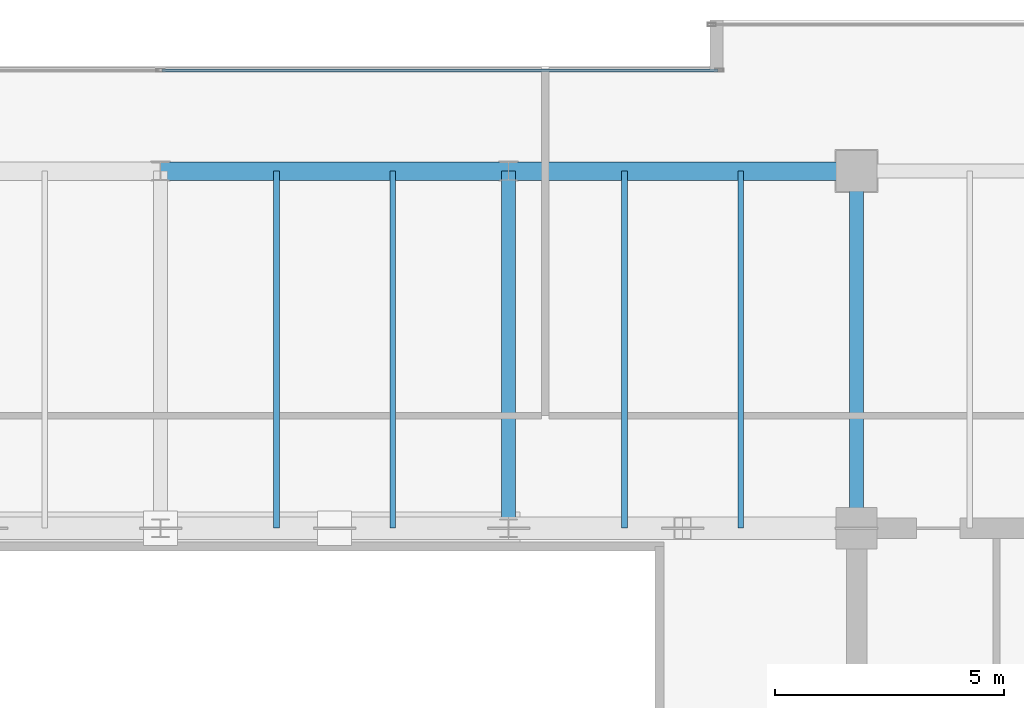
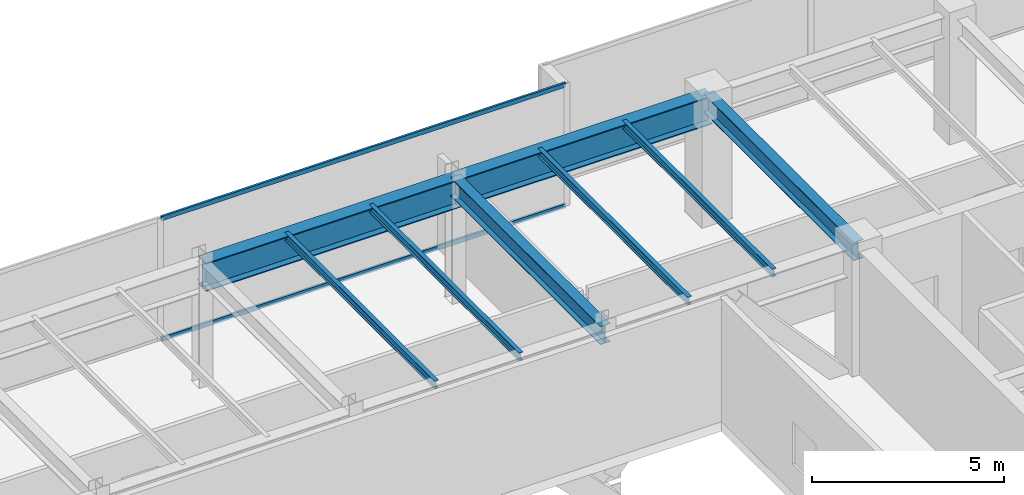
# One storey, part 22 of 32: 8 beams, 2 members, 1 element without a shape of its own.
"""IFC4 building model written with IfcOpenShell, lengths in metres."""

import ifcopenshell
import ifcopenshell.guid

model = None  # the IFC model being written
_history = None  # IfcOwnerHistory: only IFC2X3 demands one
_inside = {}  # id of a spatial element -> (the spatial element, [elements in it])
_under = {}  # id of a project, library or spatial element -> (it, [spatial elements below it])
_declared = {}  # id of a project -> (the project, [libraries it declares])
_typed = {}  # id of a type object -> (the type object, [elements of that type])
_made_of = {}  # id of a material, layer set ... -> (it, [elements and type objects made of it])


def new_model(schema):
    """Start an empty IFC model of exactly this schema.

    Asked for "IFC4X3", IfcOpenShell would pick the latest addendum, in which some entities
    have other attributes; the version numbers below select the first issue.
    IFC2X3 requires an IfcOwnerHistory on every rooted entity: one is made here for all.
    """
    global model, _history
    if schema == "IFC4X3":
        model = ifcopenshell.file(schema_version=(4, 3, 0, 0))
    else:
        model = ifcopenshell.file(schema=schema)
    _inside.clear()
    _under.clear()
    _declared.clear()
    _typed.clear()
    _made_of.clear()
    _history = None
    if model.schema == "IFC2X3":
        org = make("IfcOrganization", Name="unknown")
        user = make(
            "IfcPersonAndOrganization",
            ThePerson=make("IfcPerson", FamilyName="unknown"),
            TheOrganization=org,
        )
        app = make(
            "IfcApplication",
            ApplicationDeveloper=org,
            Version="unknown",
            ApplicationFullName="unknown",
            ApplicationIdentifier="unknown",
        )
        _history = make(
            "IfcOwnerHistory",
            OwningUser=user,
            OwningApplication=app,
            ChangeAction="ADDED",
            CreationDate=0,
        )
    return model


def make(cls, **values):
    """One entity of the class cls with the attributes given. An attribute that is None is left unset."""
    return model.create_entity(
        cls, **{name: value for name, value in values.items() if value is not None}
    )


def rooted(cls, **values):
    """An entity with a GlobalId (a new one), such as an element, a storey or a relation."""
    return make(cls, GlobalId=ifcopenshell.guid.new(), OwnerHistory=_history, **values)


def si_unit(unit_type, name, prefix=None):
    """IfcSIUnit, for example si_unit("LENGTHUNIT", "METRE", prefix="MILLI")."""
    return make("IfcSIUnit", UnitType=unit_type, Prefix=prefix, Name=name)


def assignment(units):
    """IfcUnitAssignment: the units of a project."""
    return None if units is None else make("IfcUnitAssignment", Units=units)


def point(xyz):
    """IfcCartesianPoint."""
    return None if xyz is None else make("IfcCartesianPoint", Coordinates=xyz)


def direction(xyz):
    """IfcDirection."""
    return None if xyz is None else make("IfcDirection", DirectionRatios=xyz)


def frame(location, z_axis=None, x_axis=None):
    """IfcAxis2Placement3D, a coordinate frame: its origin and axes. An axis left out is left unset."""
    return make(
        "IfcAxis2Placement3D",
        Location=point(location),
        Axis=direction(z_axis),
        RefDirection=direction(x_axis),
    )


def frame_2d(location, x_axis=None):
    """IfcAxis2Placement2D, a coordinate frame in the plane: its origin and x axis."""
    return make(
        "IfcAxis2Placement2D", Location=point(location), RefDirection=direction(x_axis)
    )


def origin():
    """The frame at (0, 0, 0) with its axes left unset."""
    return frame((0.0, 0.0, 0.0))


def origin_2d():
    """The frame at (0, 0) in the plane with its x axis left unset."""
    return frame_2d((0.0, 0.0))


def place(relative_to, where):
    """IfcLocalPlacement: puts the frame where relative to a parent placement (None: the world)."""
    return make(
        "IfcLocalPlacement", PlacementRelTo=relative_to, RelativePlacement=where
    )


def context(
    kind, dimensions, precision=None, world=None, true_north=None, identifier=None
):
    """IfcGeometricRepresentationContext, for example the 3D "Model" context."""
    return make(
        "IfcGeometricRepresentationContext",
        ContextIdentifier=identifier,
        ContextType=kind,
        CoordinateSpaceDimension=dimensions,
        Precision=precision,
        WorldCoordinateSystem=world,
        TrueNorth=true_north,
    )


def subcontext(parent, identifier, kind, view, scale=None):
    """IfcGeometricRepresentationSubContext, for example "Body" below "Model"."""
    return make(
        "IfcGeometricRepresentationSubContext",
        ContextIdentifier=identifier,
        ContextType=kind,
        ParentContext=parent,
        TargetScale=scale,
        TargetView=view,
    )


def project(units=None, contexts=None):
    """IfcProject with its units and contexts."""
    return rooted(
        "IfcProject",
        Name="project",
        RepresentationContexts=contexts,
        UnitsInContext=assignment(units),
    )


def spatial(cls, under=None, at=None, **own):
    """A site, building, storey or space (cls), placed at a placement, below another one or the project."""
    s = rooted(cls, ObjectPlacement=at, **own)
    if under is not None:
        _under.setdefault(under.id(), (under, []))[1].append(s)
    return s


def profile(cls, at=None, kind="AREA", **sizes):
    """A parametric profile (cls). Its sizes go by their IFC names, for example OverallWidth=200.0."""
    return make(cls, ProfileType=kind, Position=at, **sizes)


def hollow_rectangle(**sizes):
    """IfcRectangleHollowProfileDef."""
    return profile("IfcRectangleHollowProfileDef", **sizes)


def i_section(**sizes):
    """IfcIShapeProfileDef."""
    return profile("IfcIShapeProfileDef", **sizes)


def extrude(swept, where, along, depth):
    """IfcExtrudedAreaSolid: the profile swept, set in the frame where, extruded along a direction by depth."""
    return make(
        "IfcExtrudedAreaSolid",
        SweptArea=swept,
        Position=where,
        ExtrudedDirection=direction(along),
        Depth=depth,
    )


def shape(context_of_items, identifier, shape_type, items):
    """IfcShapeRepresentation: the items that make up one representation, for example the "Body"."""
    return make(
        "IfcShapeRepresentation",
        ContextOfItems=context_of_items,
        RepresentationIdentifier=identifier,
        RepresentationType=shape_type,
        Items=items,
    )


def source(mapping_origin, context_of_items, identifier, shape_type, items):
    """IfcRepresentationMap: a shape defined once, which mapped items show again and again."""
    return make(
        "IfcRepresentationMap",
        MappingOrigin=mapping_origin,
        MappedRepresentation=shape(context_of_items, identifier, shape_type, items),
    )


def transform(
    local_origin,
    x_axis=None,
    y_axis=None,
    z_axis=None,
    scale=None,
    scale2=None,
    scale3=None,
    uniform=True,
):
    """IfcCartesianTransformationOperator3D, or its non-uniform kind. x_axis, y_axis, z_axis: its Axis1, 2, 3."""
    if uniform:
        return make(
            "IfcCartesianTransformationOperator3D",
            Axis1=direction(x_axis),
            Axis2=direction(y_axis),
            LocalOrigin=point(local_origin),
            Scale=scale,
            Axis3=direction(z_axis),
        )
    return make(
        "IfcCartesianTransformationOperator3DnonUniform",
        Axis1=direction(x_axis),
        Axis2=direction(y_axis),
        LocalOrigin=point(local_origin),
        Scale=scale,
        Axis3=direction(z_axis),
        Scale2=scale2,
        Scale3=scale3,
    )


def mapped(mapping_source, mapping_target):
    """IfcMappedItem: shows the shape of a source again, moved by a transform."""
    return make(
        "IfcMappedItem", MappingSource=mapping_source, MappingTarget=mapping_target
    )


def material(Name=None, Category=None):
    """IfcMaterial."""
    return make("IfcMaterial", Name=Name, Category=Category)


def layer(
    of_material, thickness, ventilated=None, Name=None, Category=None, Priority=None
):
    """IfcMaterialLayer: one layer of a wall or slab, of a material (None: an air gap)."""
    return make(
        "IfcMaterialLayer",
        Material=of_material,
        LayerThickness=thickness,
        IsVentilated=ventilated,
        Name=Name,
        Category=Category,
        Priority=Priority,
    )


def layer_set(layers, Name=None):
    """IfcMaterialLayerSet."""
    return make("IfcMaterialLayerSet", MaterialLayers=layers, LayerSetName=Name)


def material_profile(
    of_material, cross_section, Name=None, Category=None, Priority=None
):
    """IfcMaterialProfile: a cross section and its material."""
    return make(
        "IfcMaterialProfile",
        Name=Name,
        Material=of_material,
        Profile=cross_section,
        Priority=Priority,
        Category=Category,
    )


def profile_set(profiles, Name=None, composite=None):
    """IfcMaterialProfileSet."""
    return make(
        "IfcMaterialProfileSet",
        Name=Name,
        MaterialProfiles=profiles,
        CompositeProfile=composite,
    )


def made_of(thing, what):
    """Note that an element or type object is made of a material, layer set ...; save() writes the relation."""
    if what is not None:
        _made_of.setdefault(what.id(), (what, []))[1].append(thing)
    return thing


def type_object(cls, material=None, **own):
    """A type object (cls), such as IfcWallType, which elements share."""
    return made_of(rooted(cls, **own), material)


def type_shapes(of_type, sources):
    """Give a type object the sources (RepresentationMaps) that its elements show as mapped items."""
    of_type.RepresentationMaps = sources


def element(
    cls,
    number,
    at=None,
    inside=None,
    cuts=None,
    type_object=None,
    material=None,
    context=None,
    identifier="Body",
    shape_type=None,
    held_by="IfcProductDefinitionShape",
    body=None,
    shapes=None,
    **own,
):
    """One element of the class cls, such as IfcWall. Its Tag is "e" and its number.

    at: its placement. inside: the storey or other place that contains it. cuts: it is an
    opening in that element (IfcRelVoidsElement). A single representation is given by context,
    identifier, shape_type and body (its items); several are given by shapes. held_by: the class
    of the entity that holds the representations. save() writes the other relations.
    """
    e = rooted(cls, Tag="e%d" % number, ObjectPlacement=at, **own)
    if body is not None:
        shapes = [shape(context, identifier, shape_type, body)]
    if shapes is not None:
        e.Representation = make(held_by, Representations=shapes)
    if inside is not None:
        _inside.setdefault(inside.id(), (inside, []))[1].append(e)
    if cuts is not None:
        rooted(
            "IfcRelVoidsElement", RelatingBuildingElement=cuts, RelatedOpeningElement=e
        )
    if type_object is not None:
        _typed.setdefault(type_object.id(), (type_object, []))[1].append(e)
    return made_of(e, material)


def aggregate(whole, parts):
    """IfcRelAggregates: a whole, such as a stair, and the parts it consists of."""
    return rooted("IfcRelAggregates", RelatingObject=whole, RelatedObjects=parts)


def save(model, path):
    """Write the relations noted so far, then the file.

    IfcRelAggregates (storeys below a building ...), IfcRelContainedInSpatialStructure (elements
    in a storey), IfcRelDefinesByType, IfcRelAssociatesMaterial and IfcRelDeclares: one each for
    every whole, place, type object, material and project.
    """
    for whole, parts in _under.values():
        aggregate(whole, parts)
    for where, things in _inside.values():
        rooted(
            "IfcRelContainedInSpatialStructure",
            RelatedElements=things,
            RelatingStructure=where,
        )
    for kind, things in _typed.values():
        rooted("IfcRelDefinesByType", RelatedObjects=things, RelatingType=kind)
    for what, things in _made_of.values():
        rooted("IfcRelAssociatesMaterial", RelatedObjects=things, RelatingMaterial=what)
    for by, libraries in _declared.values():
        rooted("IfcRelDeclares", RelatingContext=by, RelatedDefinitions=libraries)
    model.write(path)


model = new_model("IFC4")

# Units and contexts
model_context = context("Model", 3, precision=1e-05, world=origin(), true_north=direction((0.0, 1.0)))
body_context = subcontext(model_context, "Body", "Model", "MODEL_VIEW")
ifc_project = project(units=[si_unit("LENGTHUNIT", "METRE"), si_unit("AREAUNIT", "SQUARE_METRE"), si_unit("VOLUMEUNIT", "CUBIC_METRE"), si_unit("PLANEANGLEUNIT", "RADIAN"), si_unit("MASSUNIT", "GRAM", prefix="KILO")], contexts=[model_context])

# Site, building, storey
site_placement = place(None, origin())
site = spatial("IfcSite", under=ifc_project, at=site_placement, CompositionType="ELEMENT")
building_placement = place(site_placement, origin())
building = spatial("IfcBuilding", under=site, at=building_placement, Name="Haelvirn Gate Laboratories", CompositionType="ELEMENT")
storey_placement = place(building_placement, frame((0.0, 0.0, 314.39990234375)))
storey = spatial("IfcBuildingStorey", under=building, at=storey_placement, Name="L75", CompositionType="ELEMENT", Elevation=314.39990234375)

# Beams
ifc_material_1 = material(Name="Steel SM420", Category="steel")
ifc_material_profile_1 = material_profile(ifc_material_1, i_section(OverallWidth=0.39990234375, OverallDepth=0.89990234375, WebThickness=0.01904296875, FlangeThickness=0.031982421875, at=origin_2d()), Name="H-900x400x19x32")
ifc_profile_set_1 = profile_set([ifc_material_profile_1], Name="Steel SM420")
beam_type_1 = type_object("IfcBeamType", Name="BM-TG-900", PredefinedType="BEAM", material=ifc_profile_set_1)
shared_shape_1 = source(origin(), body_context, "Body", "SweptSolid", [
    extrude(i_section(OverallWidth=0.39990234375, OverallDepth=0.89990234375, WebThickness=0.01904296875, FlangeThickness=0.031982421875, at=origin_2d()), origin(), (0.0, 0.0, 1.0), 7.60009765625),
])
type_shapes(beam_type_1, [shared_shape_1])
for number, where, z_axis, x_axis, name in (
    (1, (37.39990234375, 41.60009765625, 3.4501953125), (1.0, 0.0, 0.0), (0.0, 1.0, 0.0), "L75 Primary Girder Y41.6 (37.4-45.0)"),
    (2, (45.0, 41.60009765625, 3.4501953125), (1.0, 0.0, 0.0), (0.0, 1.0, 0.0), "L75 Primary Girder Y41.6 (45.0-52.6)"),
):
    element("IfcBeam", number, at=place(storey_placement, frame(where, z_axis=z_axis, x_axis=x_axis)), inside=storey, type_object=beam_type_1, Name=name, PredefinedType="BEAM", context=body_context, shape_type="MappedRepresentation", body=[
        mapped(shared_shape_1, transform((0.0, 0.0, 0.0), scale=1.0)),
    ])
ifc_material_2 = material(Name="Steel SM355", Category="steel")
ifc_material_profile_2 = material_profile(ifc_material_2, i_section(OverallWidth=0.300048828125, OverallDepth=0.587890625, WebThickness=0.011962890625, FlangeThickness=0.02001953125, at=origin_2d()), Name="H-588x300x12x20")
ifc_profile_set_2 = profile_set([ifc_material_profile_2], Name="Steel SM355")
beam_type_2 = type_object("IfcBeamType", Name="BM-G-588", PredefinedType="BEAM", material=ifc_profile_set_2)
shared_shape_2 = source(origin(), body_context, "Body", "SweptSolid", [
    extrude(i_section(OverallWidth=0.300048828125, OverallDepth=0.587890625, WebThickness=0.011962890625, FlangeThickness=0.02001953125, at=origin_2d()), origin(), (0.0, 0.0, 1.0), 7.800048828125),
])
type_shapes(beam_type_2, [shared_shape_2])
for number, where, z_axis, x_axis, name in (
    (3, (45.0, 33.800048828125, 3.606201171875), (0.0, 1.0, 0.0), (-1.0, 0.0, 0.0), "L75 Frame Girder X45.0 (33.8-41.6)"),
    (4, (52.60009765625, 33.800048828125, 3.606201171875), (0.0, 1.0, 0.0), (-1.0, 0.0, 0.0), "L75 Frame Girder X52.6 (33.8-41.6)"),
):
    element("IfcBeam", number, at=place(storey_placement, frame(where, z_axis=z_axis, x_axis=x_axis)), inside=storey, type_object=beam_type_2, Name=name, PredefinedType="BEAM", context=body_context, shape_type="MappedRepresentation", body=[
        mapped(shared_shape_2, transform((0.0, 0.0, 0.0), scale=1.0)),
    ])
ifc_material_profile_3 = material_profile(ifc_material_2, i_section(OverallWidth=0.125, OverallDepth=0.25, WebThickness=0.006103515625, FlangeThickness=0.009033203125, at=origin_2d()), Name="H-250x125x6x9")
ifc_profile_set_3 = profile_set([ifc_material_profile_3], Name="Steel SM355")
beam_type_3 = type_object("IfcBeamType", Name="BM-J-250", PredefinedType="JOIST", material=ifc_profile_set_3)
shared_shape_3 = source(origin(), body_context, "Body", "SweptSolid", [
    extrude(i_section(OverallWidth=0.125, OverallDepth=0.25, WebThickness=0.006103515625, FlangeThickness=0.009033203125, at=origin_2d()), origin(), (0.0, 0.0, 1.0), 7.800048828125),
])
type_shapes(beam_type_3, [shared_shape_3])
for number, where, z_axis, x_axis, name in (
    (5, (39.929931640625, 33.800048828125, 3.775146484375), (0.0, 1.0, 0.0), (-1.0, 0.0, 0.0), "L75 Composite Lab Joist North X39.93"),
    (6, (42.469970703125, 33.800048828125, 3.775146484375), (0.0, 1.0, 0.0), (-1.0, 0.0, 0.0), "L75 Composite Lab Joist North X42.47"),
    (7, (47.530029296875, 33.800048828125, 3.775146484375), (0.0, 1.0, 0.0), (-1.0, 0.0, 0.0), "L75 Composite Lab Joist North X47.53"),
    (8, (50.070068359375, 33.800048828125, 3.775146484375), (0.0, 1.0, 0.0), (-1.0, 0.0, 0.0), "L75 Composite Lab Joist North X50.07"),
):
    element("IfcBeam", number, at=place(storey_placement, frame(where, z_axis=z_axis, x_axis=x_axis)), inside=storey, type_object=beam_type_3, Name=name, PredefinedType="JOIST", context=body_context, shape_type="MappedRepresentation", body=[
        mapped(shared_shape_3, transform((0.0, 0.0, 0.0), scale=1.0)),
    ])

# Curtain wall, members
ifc_material_3 = material(Name="Anodised bronze unitised aluminium & triple low-E glass", Category="aluminium")
ifc_layer = layer(ifc_material_3, 0.176025390625, Name="CW-SYS-4")
ifc_layer_set = layer_set([ifc_layer], Name="Anodised bronze unitised aluminium & triple low-E glass")
curtain_wall_type = type_object("IfcCurtainWallType", Name="CW-SYS-4", PredefinedType="NOTDEFINED", material=ifc_layer_set)
curtain_wall_placement = place(storey_placement, origin())
curtain_wall = element("IfcCurtainWall", 9, at=curtain_wall_placement, inside=storey, type_object=curtain_wall_type, Name="L75 Unitised Curtain Wall CW-L75-P0-E12-1", PredefinedType="NOTDEFINED")
ifc_material_4 = material(Name="Extruded aluminium 6063-T6 (anodised bronze)", Category="aluminium")
ifc_material_profile_4 = material_profile(ifc_material_4, hollow_rectangle(XDim=0.06494140625, YDim=0.139892578125, WallThickness=0.00390625, at=origin_2d()), Name="CWT-140x65x4")
ifc_profile_set_4 = profile_set([ifc_material_profile_4], Name="Extruded aluminium 6063-T6 (anodised bronze)")
member_type = type_object("IfcMemberType", Name="CWT-T140", PredefinedType="USERDEFINED", material=ifc_profile_set_4)
shared_shape_4 = source(origin(), body_context, "Body", "SweptSolid", [
    extrude(hollow_rectangle(XDim=0.06494140625, YDim=0.139892578125, WallThickness=0.00390625, at=origin_2d()), origin(), (0.0, 0.0, 1.0), 12.135009765625),
])
type_shapes(member_type, [shared_shape_4])
member_1_placement = place(storey_placement, frame((37.43505859375, 43.800048828125, 0.03271484375), z_axis=(1.0, 0.0, 0.0), x_axis=(0.0, 1.0, 0.0)))
member_1 = element("IfcMember", 10, at=member_1_placement, type_object=member_type, Name="CW4 transom 2.1", ObjectType="TRANSOM", PredefinedType="USERDEFINED", context=body_context, shape_type="MappedRepresentation", body=[
    mapped(shared_shape_4, transform((0.0, 0.0, 0.0), scale=1.0)),
])
member_2_placement = place(storey_placement, frame((37.43505859375, 43.800048828125, 3.86767578125), z_axis=(1.0, 0.0, 0.0), x_axis=(0.0, 1.0, 0.0)))
member_2 = element("IfcMember", 11, at=member_2_placement, type_object=member_type, Name="CW4 transom 2.2", ObjectType="TRANSOM", PredefinedType="USERDEFINED", context=body_context, shape_type="MappedRepresentation", body=[
    mapped(shared_shape_4, transform((0.0, 0.0, 0.0), scale=1.0)),
])
aggregate(curtain_wall, [member_1, member_2])

save(model, "model.ifc")
